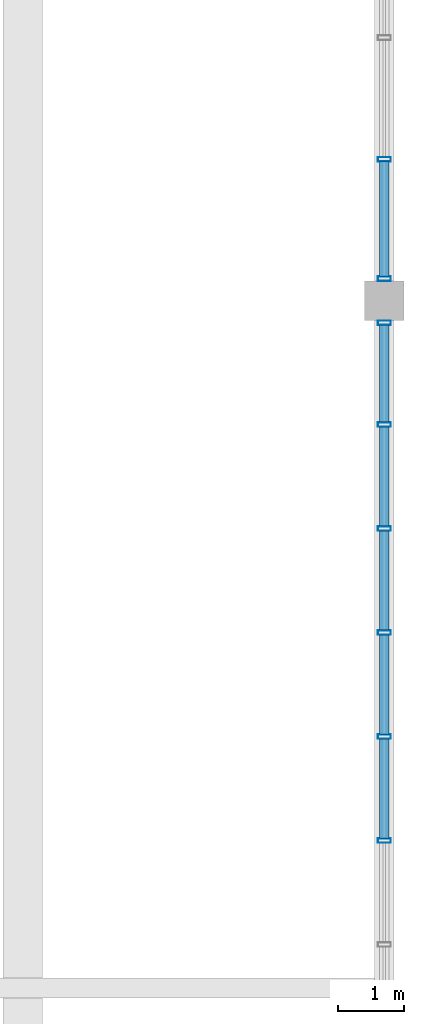
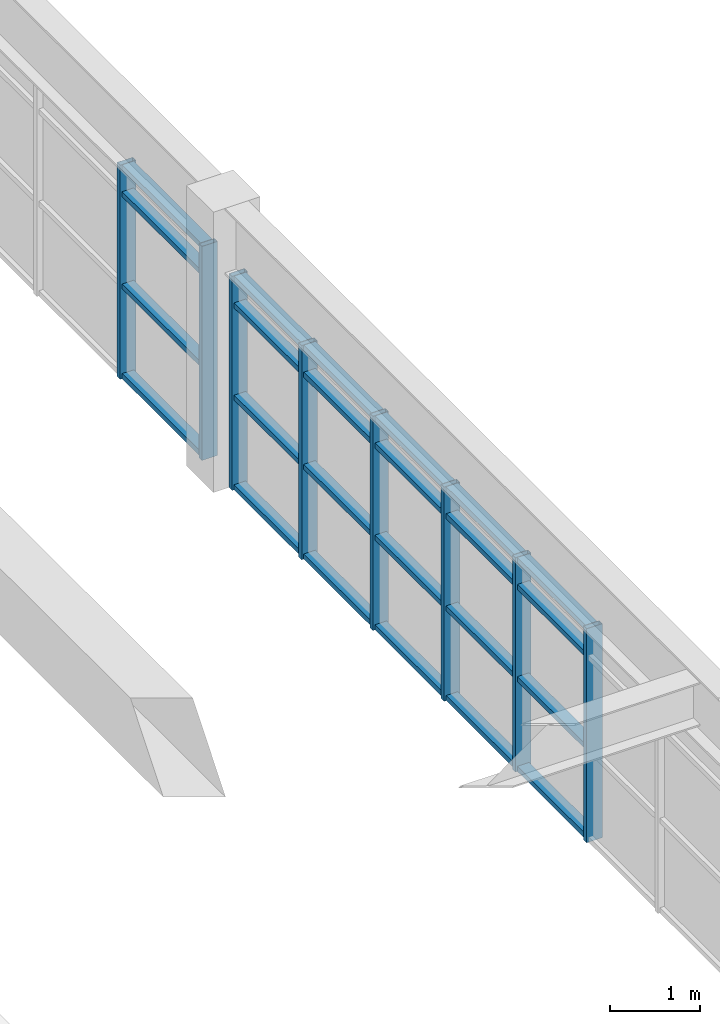
# One storey, part 17 of 28: 32 members, 2 elements without a shape of their own.
"""IFC4 building model written with IfcOpenShell, lengths in metres."""

from ifc_helpers import new_model, si_unit, direction, frame, origin, origin_2d, place, context, subcontext, project, spatial, hollow_rectangle, extrude, source, transform, mapped, material, layer, layer_set, material_profile, profile_set, type_object, element, aggregate, save


model = new_model("IFC4")

# Units and contexts
model_context = context("Model", 3, precision=1e-05, world=origin(), true_north=direction((0.0, 1.0)))
body_context = subcontext(model_context, "Body", "Model", "MODEL_VIEW")
ifc_project = project(units=[si_unit("LENGTHUNIT", "METRE"), si_unit("AREAUNIT", "SQUARE_METRE"), si_unit("VOLUMEUNIT", "CUBIC_METRE"), si_unit("PLANEANGLEUNIT", "RADIAN"), si_unit("MASSUNIT", "GRAM", prefix="KILO")], contexts=[model_context])

# Site, building, storey
site_placement = place(None, origin())
site = spatial("IfcSite", under=ifc_project, at=site_placement, CompositionType="ELEMENT")
building_placement = place(site_placement, origin())
building = spatial("IfcBuilding", under=site, at=building_placement, Name="Saelheon Loggia Tower", CompositionType="ELEMENT")
storey_placement = place(building_placement, frame((0.0, 0.0, 271.199951171875)))
storey = spatial("IfcBuildingStorey", under=building, at=storey_placement, Name="CR6", CompositionType="ELEMENT", Elevation=271.199951171875)

# Curtain wall, members
ifc_material_1 = material(Name="Bronze-Anodised Aluminium and Fritted Ceramic Screen", Category="aluminium")
ifc_layer = layer(ifc_material_1, 0.219970703125)
ifc_layer_set = layer_set([ifc_layer], Name="Bronze-Anodised Aluminium and Fritted Ceramic Screen")
curtain_wall_type = type_object("IfcCurtainWallType", Name="CW_CrownScreen", PredefinedType="NOTDEFINED", material=ifc_layer_set)
curtain_wall_1_placement = place(storey_placement, origin())
curtain_wall_1 = element("IfcCurtainWall", 1, at=curtain_wall_1_placement, inside=storey, type_object=curtain_wall_type, Name="CR6 Crown Screen Curtain Wall 3-2", PredefinedType="NOTDEFINED")
ifc_material_2 = material(Name="Bronze-Anodised Aluminium 6063-T6", Category="aluminium")
ifc_material_profile_1 = material_profile(ifc_material_2, hollow_rectangle(XDim=0.070068359375, YDim=0.14990234375, WallThickness=0.0048828125, at=origin_2d()), Name="RHS-150x70x5")
ifc_profile_set_1 = profile_set([ifc_material_profile_1], Name="Bronze-Anodised Aluminium 6063-T6")
member_type_1 = type_object("IfcMemberType", Name="CW_CrownScreen_Transom", PredefinedType="USERDEFINED", material=ifc_profile_set_1)
shared_shape_1 = source(origin(), body_context, "Body", "SweptSolid", [
    extrude(hollow_rectangle(XDim=0.070068359375, YDim=0.14990234375, WallThickness=0.0048828125, at=origin_2d()), origin(), (0.0, 0.0, 1.0), 1.51171875),
])
member_1_placement = place(storey_placement, frame((52.64990234375, 27.825927734375, 0.03515625), z_axis=(0.0, 1.0, 0.0), x_axis=(0.0, 0.0, 1.0)))
member_1 = element("IfcMember", 2, at=member_1_placement, type_object=member_type_1, Name="CW6 transom 7.1", ObjectType="TRANSOM", PredefinedType="USERDEFINED", context=body_context, shape_type="MappedRepresentation", body=[
    mapped(shared_shape_1, transform((0.0, 0.0, 0.0), scale=1.0)),
])
member_2_placement = place(storey_placement, frame((52.64990234375, 27.825927734375, 1.25), z_axis=(0.0, 1.0, 0.0), x_axis=(0.0, 0.0, 1.0)))
member_2 = element("IfcMember", 3, at=member_2_placement, type_object=member_type_1, Name="CW6 transom 7.2", ObjectType="TRANSOM", PredefinedType="USERDEFINED", context=body_context, shape_type="MappedRepresentation", body=[
    mapped(shared_shape_1, transform((0.0, 0.0, 0.0), scale=1.0)),
])
member_3_placement = place(storey_placement, frame((52.64990234375, 27.825927734375, 2.5), z_axis=(0.0, 1.0, 0.0), x_axis=(0.0, 0.0, 1.0)))
member_3 = element("IfcMember", 4, at=member_3_placement, type_object=member_type_1, Name="CW6 transom 7.3", ObjectType="TRANSOM", PredefinedType="USERDEFINED", context=body_context, shape_type="MappedRepresentation", body=[
    mapped(shared_shape_1, transform((0.0, 0.0, 0.0), scale=1.0)),
])
member_4_placement = place(storey_placement, frame((52.64990234375, 27.825927734375, 2.864990234375), z_axis=(0.0, 1.0, 0.0), x_axis=(0.0, 0.0, 1.0)))
member_4 = element("IfcMember", 5, at=member_4_placement, type_object=member_type_1, Name="CW6 transom 7.4", ObjectType="TRANSOM", PredefinedType="USERDEFINED", context=body_context, shape_type="MappedRepresentation", body=[
    mapped(shared_shape_1, transform((0.0, 0.0, 0.0), scale=1.0)),
])
member_5_placement = place(storey_placement, frame((52.64990234375, 29.40771484375, 0.03515625), z_axis=(0.0, 1.0, 0.0), x_axis=(0.0, 0.0, 1.0)))
member_5 = element("IfcMember", 6, at=member_5_placement, type_object=member_type_1, Name="CW6 transom 8.1", ObjectType="TRANSOM", PredefinedType="USERDEFINED", context=body_context, shape_type="MappedRepresentation", body=[
    mapped(shared_shape_1, transform((0.0, 0.0, 0.0), scale=1.0)),
])
member_6_placement = place(storey_placement, frame((52.64990234375, 29.40771484375, 1.25), z_axis=(0.0, 1.0, 0.0), x_axis=(0.0, 0.0, 1.0)))
member_6 = element("IfcMember", 7, at=member_6_placement, type_object=member_type_1, Name="CW6 transom 8.2", ObjectType="TRANSOM", PredefinedType="USERDEFINED", context=body_context, shape_type="MappedRepresentation", body=[
    mapped(shared_shape_1, transform((0.0, 0.0, 0.0), scale=1.0)),
])
member_7_placement = place(storey_placement, frame((52.64990234375, 29.40771484375, 2.5), z_axis=(0.0, 1.0, 0.0), x_axis=(0.0, 0.0, 1.0)))
member_7 = element("IfcMember", 8, at=member_7_placement, type_object=member_type_1, Name="CW6 transom 8.3", ObjectType="TRANSOM", PredefinedType="USERDEFINED", context=body_context, shape_type="MappedRepresentation", body=[
    mapped(shared_shape_1, transform((0.0, 0.0, 0.0), scale=1.0)),
])
member_8_placement = place(storey_placement, frame((52.64990234375, 29.40771484375, 2.864990234375), z_axis=(0.0, 1.0, 0.0), x_axis=(0.0, 0.0, 1.0)))
member_8 = element("IfcMember", 9, at=member_8_placement, type_object=member_type_1, Name="CW6 transom 8.4", ObjectType="TRANSOM", PredefinedType="USERDEFINED", context=body_context, shape_type="MappedRepresentation", body=[
    mapped(shared_shape_1, transform((0.0, 0.0, 0.0), scale=1.0)),
])
ifc_material_profile_2 = material_profile(ifc_material_2, hollow_rectangle(XDim=0.070068359375, YDim=0.199951171875, WallThickness=0.0048828125, at=origin_2d()), Name="RHS-200x70x5")
ifc_profile_set_2 = profile_set([ifc_material_profile_2], Name="Bronze-Anodised Aluminium 6063-T6")
member_type_2 = type_object("IfcMemberType", Name="CW_CrownScreen_Mullion", PredefinedType="MULLION", material=ifc_profile_set_2)
shared_shape_2 = source(origin(), body_context, "Body", "SweptSolid", [
    extrude(hollow_rectangle(XDim=0.070068359375, YDim=0.199951171875, WallThickness=0.0048828125, at=origin_2d()), origin(), (0.0, 0.0, 1.0), 2.900146484375),
])
member_9_placement = place(storey_placement, frame((52.64990234375, 27.791015625, 0.0), z_axis=(0.0, 0.0, 1.0), x_axis=(0.0, 1.0, 0.0)))
member_9 = element("IfcMember", 10, at=member_9_placement, type_object=member_type_2, Name="CW6 mullion 7", PredefinedType="MULLION", context=body_context, shape_type="MappedRepresentation", body=[
    mapped(shared_shape_2, transform((0.0, 0.0, 0.0), scale=1.0)),
])
member_10_placement = place(storey_placement, frame((52.64990234375, 29.372802734375, 0.0), z_axis=(0.0, 0.0, 1.0), x_axis=(0.0, 1.0, 0.0)))
member_10 = element("IfcMember", 11, at=member_10_placement, type_object=member_type_2, Name="CW6 mullion 8", PredefinedType="MULLION", context=body_context, shape_type="MappedRepresentation", body=[
    mapped(shared_shape_2, transform((0.0, 0.0, 0.0), scale=1.0)),
])
member_11_placement = place(storey_placement, frame((52.64990234375, 30.95458984375, 0.0), z_axis=(0.0, 0.0, 1.0), x_axis=(0.0, 1.0, 0.0)))
member_11 = element("IfcMember", 12, at=member_11_placement, type_object=member_type_2, Name="CW6 mullion 9", PredefinedType="MULLION", context=body_context, shape_type="MappedRepresentation", body=[
    mapped(shared_shape_2, transform((0.0, 0.0, 0.0), scale=1.0)),
])
member_12_placement = place(storey_placement, frame((52.64990234375, 32.536376953125, 0.0), z_axis=(0.0, 0.0, 1.0), x_axis=(0.0, 1.0, 0.0)))
member_12 = element("IfcMember", 13, at=member_12_placement, type_object=member_type_2, Name="CW6 mullion 10", PredefinedType="MULLION", context=body_context, shape_type="MappedRepresentation", body=[
    mapped(shared_shape_2, transform((0.0, 0.0, 0.0), scale=1.0)),
])
member_13_placement = place(storey_placement, frame((52.64990234375, 34.1181640625, 0.0), z_axis=(0.0, 0.0, 1.0), x_axis=(0.0, 1.0, 0.0)))
member_13 = element("IfcMember", 14, at=member_13_placement, type_object=member_type_2, Name="CW6 mullion 11", PredefinedType="MULLION", context=body_context, shape_type="MappedRepresentation", body=[
    mapped(shared_shape_2, transform((0.0, 0.0, 0.0), scale=1.0)),
])
member_14_placement = place(storey_placement, frame((52.64990234375, 35.6650390625, 0.0), z_axis=(0.0, 0.0, 1.0), x_axis=(0.0, 1.0, 0.0)))
member_14 = element("IfcMember", 15, at=member_14_placement, type_object=member_type_2, Name="CW6 mullion 12", PredefinedType="MULLION", context=body_context, shape_type="MappedRepresentation", body=[
    mapped(shared_shape_2, transform((0.0, 0.0, 0.0), scale=1.0)),
])

curtain_wall_2_placement = place(storey_placement, origin())
curtain_wall_2 = element("IfcCurtainWall", 16, at=curtain_wall_2_placement, inside=storey, type_object=curtain_wall_type, Name="CR6 Crown Screen Curtain Wall 3-3", PredefinedType="NOTDEFINED")
member_15_placement = place(storey_placement, frame((52.64990234375, 36.3349609375, 0.0), z_axis=(0.0, 0.0, 1.0), x_axis=(0.0, 1.0, 0.0)))
member_15 = element("IfcMember", 17, at=member_15_placement, type_object=member_type_2, Name="CW6 mullion 1", PredefinedType="MULLION", context=body_context, shape_type="MappedRepresentation", body=[
    mapped(shared_shape_2, transform((0.0, 0.0, 0.0), scale=1.0)),
])
member_16_placement = place(storey_placement, frame((52.64990234375, 38.14990234375, 0.0), z_axis=(0.0, 0.0, 1.0), x_axis=(0.0, 1.0, 0.0)))
member_16 = element("IfcMember", 18, at=member_16_placement, type_object=member_type_2, Name="CW6 mullion 2", PredefinedType="MULLION", context=body_context, shape_type="MappedRepresentation", body=[
    mapped(shared_shape_2, transform((0.0, 0.0, 0.0), scale=1.0)),
])
shared_shape_3 = source(origin(), body_context, "Body", "SweptSolid", [
    extrude(hollow_rectangle(XDim=0.070068359375, YDim=0.14990234375, WallThickness=0.0048828125, at=origin_2d()), origin(), (0.0, 0.0, 1.0), 1.744873046875),
])
member_17_placement = place(storey_placement, frame((52.64990234375, 36.3701171875, 0.03515625), z_axis=(0.0, 1.0, 0.0), x_axis=(0.0, 0.0, 1.0)))
member_17 = element("IfcMember", 19, at=member_17_placement, type_object=member_type_1, Name="CW6 transom 1.1", ObjectType="TRANSOM", PredefinedType="USERDEFINED", context=body_context, shape_type="MappedRepresentation", body=[
    mapped(shared_shape_3, transform((0.0, 0.0, 0.0), scale=1.0)),
])
member_18_placement = place(storey_placement, frame((52.64990234375, 36.3701171875, 1.25), z_axis=(0.0, 1.0, 0.0), x_axis=(0.0, 0.0, 1.0)))
member_18 = element("IfcMember", 20, at=member_18_placement, type_object=member_type_1, Name="CW6 transom 1.2", ObjectType="TRANSOM", PredefinedType="USERDEFINED", context=body_context, shape_type="MappedRepresentation", body=[
    mapped(shared_shape_3, transform((0.0, 0.0, 0.0), scale=1.0)),
])
member_19_placement = place(storey_placement, frame((52.64990234375, 36.3701171875, 2.5), z_axis=(0.0, 1.0, 0.0), x_axis=(0.0, 0.0, 1.0)))
member_19 = element("IfcMember", 21, at=member_19_placement, type_object=member_type_1, Name="CW6 transom 1.3", ObjectType="TRANSOM", PredefinedType="USERDEFINED", context=body_context, shape_type="MappedRepresentation", body=[
    mapped(shared_shape_3, transform((0.0, 0.0, 0.0), scale=1.0)),
])
member_20_placement = place(storey_placement, frame((52.64990234375, 36.3701171875, 2.864990234375), z_axis=(0.0, 1.0, 0.0), x_axis=(0.0, 0.0, 1.0)))
member_20 = element("IfcMember", 22, at=member_20_placement, type_object=member_type_1, Name="CW6 transom 1.4", ObjectType="TRANSOM", PredefinedType="USERDEFINED", context=body_context, shape_type="MappedRepresentation", body=[
    mapped(shared_shape_3, transform((0.0, 0.0, 0.0), scale=1.0)),
])
aggregate(curtain_wall_2, [member_15, member_16, member_17, member_18, member_19, member_20])

# Member
shared_shape_4 = source(origin(), body_context, "Body", "SweptSolid", [
    extrude(hollow_rectangle(XDim=0.070068359375, YDim=0.14990234375, WallThickness=0.0048828125, at=origin_2d()), origin(), (0.0, 0.0, 1.0), 1.476806640625),
])
member_21_placement = place(storey_placement, frame((52.64990234375, 34.153076171875, 0.03515625), z_axis=(0.0, 1.0, 0.0), x_axis=(0.0, 0.0, 1.0)))
member_21 = element("IfcMember", 23, at=member_21_placement, type_object=member_type_1, Name="CW6 transom 11.1", ObjectType="TRANSOM", PredefinedType="USERDEFINED", context=body_context, shape_type="MappedRepresentation", body=[
    mapped(shared_shape_4, transform((0.0, 0.0, 0.0), scale=1.0)),
])

member_22_placement = place(storey_placement, frame((52.64990234375, 34.153076171875, 1.25), z_axis=(0.0, 1.0, 0.0), x_axis=(0.0, 0.0, 1.0)))
member_22 = element("IfcMember", 24, at=member_22_placement, type_object=member_type_1, Name="CW6 transom 11.2", ObjectType="TRANSOM", PredefinedType="USERDEFINED", context=body_context, shape_type="MappedRepresentation", body=[
    mapped(shared_shape_4, transform((0.0, 0.0, 0.0), scale=1.0)),
])

member_23_placement = place(storey_placement, frame((52.64990234375, 34.153076171875, 2.5), z_axis=(0.0, 1.0, 0.0), x_axis=(0.0, 0.0, 1.0)))
member_23 = element("IfcMember", 25, at=member_23_placement, type_object=member_type_1, Name="CW6 transom 11.3", ObjectType="TRANSOM", PredefinedType="USERDEFINED", context=body_context, shape_type="MappedRepresentation", body=[
    mapped(shared_shape_4, transform((0.0, 0.0, 0.0), scale=1.0)),
])

member_24_placement = place(storey_placement, frame((52.64990234375, 34.153076171875, 2.864990234375), z_axis=(0.0, 1.0, 0.0), x_axis=(0.0, 0.0, 1.0)))
member_24 = element("IfcMember", 26, at=member_24_placement, type_object=member_type_1, Name="CW6 transom 11.4", ObjectType="TRANSOM", PredefinedType="USERDEFINED", context=body_context, shape_type="MappedRepresentation", body=[
    mapped(shared_shape_4, transform((0.0, 0.0, 0.0), scale=1.0)),
])

shared_shape_5 = source(origin(), body_context, "Body", "SweptSolid", [
    extrude(hollow_rectangle(XDim=0.070068359375, YDim=0.14990234375, WallThickness=0.0048828125, at=origin_2d()), origin(), (0.0, 0.0, 1.0), 1.511962890625),
])
member_25_placement = place(storey_placement, frame((52.64990234375, 30.989501953125, 0.03515625), z_axis=(0.0, 1.0, 0.0), x_axis=(0.0, 0.0, 1.0)))
member_25 = element("IfcMember", 27, at=member_25_placement, type_object=member_type_1, Name="CW6 transom 9.1", ObjectType="TRANSOM", PredefinedType="USERDEFINED", context=body_context, shape_type="MappedRepresentation", body=[
    mapped(shared_shape_5, transform((0.0, 0.0, 0.0), scale=1.0)),
])

member_26_placement = place(storey_placement, frame((52.64990234375, 30.989501953125, 1.25), z_axis=(0.0, 1.0, 0.0), x_axis=(0.0, 0.0, 1.0)))
member_26 = element("IfcMember", 28, at=member_26_placement, type_object=member_type_1, Name="CW6 transom 9.2", ObjectType="TRANSOM", PredefinedType="USERDEFINED", context=body_context, shape_type="MappedRepresentation", body=[
    mapped(shared_shape_5, transform((0.0, 0.0, 0.0), scale=1.0)),
])

member_27_placement = place(storey_placement, frame((52.64990234375, 30.989501953125, 2.5), z_axis=(0.0, 1.0, 0.0), x_axis=(0.0, 0.0, 1.0)))
member_27 = element("IfcMember", 29, at=member_27_placement, type_object=member_type_1, Name="CW6 transom 9.3", ObjectType="TRANSOM", PredefinedType="USERDEFINED", context=body_context, shape_type="MappedRepresentation", body=[
    mapped(shared_shape_5, transform((0.0, 0.0, 0.0), scale=1.0)),
])

member_28_placement = place(storey_placement, frame((52.64990234375, 30.989501953125, 2.864990234375), z_axis=(0.0, 1.0, 0.0), x_axis=(0.0, 0.0, 1.0)))
member_28 = element("IfcMember", 30, at=member_28_placement, type_object=member_type_1, Name="CW6 transom 9.4", ObjectType="TRANSOM", PredefinedType="USERDEFINED", context=body_context, shape_type="MappedRepresentation", body=[
    mapped(shared_shape_5, transform((0.0, 0.0, 0.0), scale=1.0)),
])

member_29_placement = place(storey_placement, frame((52.64990234375, 32.5712890625, 0.03515625), z_axis=(0.0, 1.0, 0.0), x_axis=(0.0, 0.0, 1.0)))
member_29 = element("IfcMember", 31, at=member_29_placement, type_object=member_type_1, Name="CW6 transom 10.1", ObjectType="TRANSOM", PredefinedType="USERDEFINED", context=body_context, shape_type="MappedRepresentation", body=[
    mapped(shared_shape_5, transform((0.0, 0.0, 0.0), scale=1.0)),
])

member_30_placement = place(storey_placement, frame((52.64990234375, 32.5712890625, 1.25), z_axis=(0.0, 1.0, 0.0), x_axis=(0.0, 0.0, 1.0)))
member_30 = element("IfcMember", 32, at=member_30_placement, type_object=member_type_1, Name="CW6 transom 10.2", ObjectType="TRANSOM", PredefinedType="USERDEFINED", context=body_context, shape_type="MappedRepresentation", body=[
    mapped(shared_shape_5, transform((0.0, 0.0, 0.0), scale=1.0)),
])

member_31_placement = place(storey_placement, frame((52.64990234375, 32.5712890625, 2.5), z_axis=(0.0, 1.0, 0.0), x_axis=(0.0, 0.0, 1.0)))
member_31 = element("IfcMember", 33, at=member_31_placement, type_object=member_type_1, Name="CW6 transom 10.3", ObjectType="TRANSOM", PredefinedType="USERDEFINED", context=body_context, shape_type="MappedRepresentation", body=[
    mapped(shared_shape_5, transform((0.0, 0.0, 0.0), scale=1.0)),
])

member_32_placement = place(storey_placement, frame((52.64990234375, 32.5712890625, 2.864990234375), z_axis=(0.0, 1.0, 0.0), x_axis=(0.0, 0.0, 1.0)))
member_32 = element("IfcMember", 34, at=member_32_placement, type_object=member_type_1, Name="CW6 transom 10.4", ObjectType="TRANSOM", PredefinedType="USERDEFINED", context=body_context, shape_type="MappedRepresentation", body=[
    mapped(shared_shape_5, transform((0.0, 0.0, 0.0), scale=1.0)),
])

aggregate(curtain_wall_1, [member_9, member_10, member_11, member_12, member_13, member_14, member_1, member_2, member_3, member_4, member_5, member_6, member_7, member_8, member_25, member_26, member_27, member_28, member_29, member_30, member_31, member_32, member_21, member_22, member_23, member_24])

save(model, "model.ifc")
